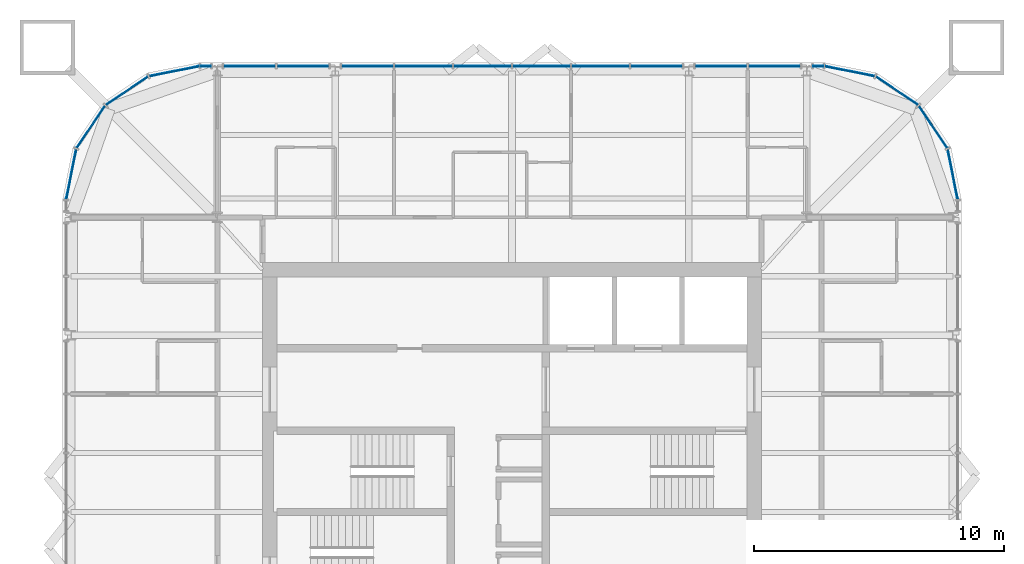
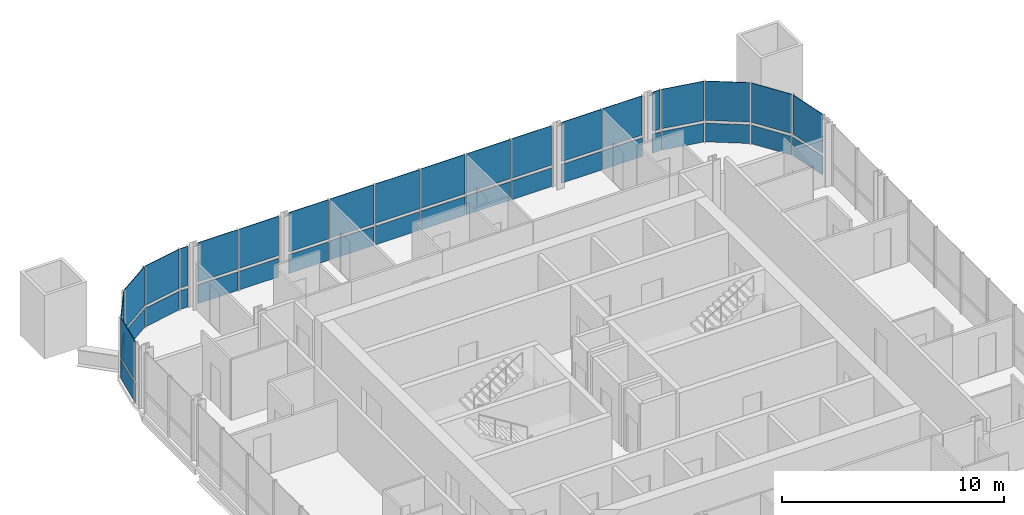
# One storey, part 12 of 17: 40 plates, 7 elements without a shape of their own.
"""IFC4 building model written with IfcOpenShell, lengths in metres."""

import ifcopenshell
import ifcopenshell.guid

model = None  # the IFC model being written
_history = None  # IfcOwnerHistory: only IFC2X3 demands one
_inside = {}  # id of a spatial element -> (the spatial element, [elements in it])
_under = {}  # id of a project, library or spatial element -> (it, [spatial elements below it])
_declared = {}  # id of a project -> (the project, [libraries it declares])
_typed = {}  # id of a type object -> (the type object, [elements of that type])
_made_of = {}  # id of a material, layer set ... -> (it, [elements and type objects made of it])


def new_model(schema):
    """Start an empty IFC model of exactly this schema.

    Asked for "IFC4X3", IfcOpenShell would pick the latest addendum, in which some entities
    have other attributes; the version numbers below select the first issue.
    IFC2X3 requires an IfcOwnerHistory on every rooted entity: one is made here for all.
    """
    global model, _history
    if schema == "IFC4X3":
        model = ifcopenshell.file(schema_version=(4, 3, 0, 0))
    else:
        model = ifcopenshell.file(schema=schema)
    _inside.clear()
    _under.clear()
    _declared.clear()
    _typed.clear()
    _made_of.clear()
    _history = None
    if model.schema == "IFC2X3":
        org = make("IfcOrganization", Name="unknown")
        user = make(
            "IfcPersonAndOrganization",
            ThePerson=make("IfcPerson", FamilyName="unknown"),
            TheOrganization=org,
        )
        app = make(
            "IfcApplication",
            ApplicationDeveloper=org,
            Version="unknown",
            ApplicationFullName="unknown",
            ApplicationIdentifier="unknown",
        )
        _history = make(
            "IfcOwnerHistory",
            OwningUser=user,
            OwningApplication=app,
            ChangeAction="ADDED",
            CreationDate=0,
        )
    return model


def make(cls, **values):
    """One entity of the class cls with the attributes given. An attribute that is None is left unset."""
    return model.create_entity(
        cls, **{name: value for name, value in values.items() if value is not None}
    )


def rooted(cls, **values):
    """An entity with a GlobalId (a new one), such as an element, a storey or a relation."""
    return make(cls, GlobalId=ifcopenshell.guid.new(), OwnerHistory=_history, **values)


def si_unit(unit_type, name, prefix=None):
    """IfcSIUnit, for example si_unit("LENGTHUNIT", "METRE", prefix="MILLI")."""
    return make("IfcSIUnit", UnitType=unit_type, Prefix=prefix, Name=name)


def assignment(units):
    """IfcUnitAssignment: the units of a project."""
    return None if units is None else make("IfcUnitAssignment", Units=units)


def point(xyz):
    """IfcCartesianPoint."""
    return None if xyz is None else make("IfcCartesianPoint", Coordinates=xyz)


def direction(xyz):
    """IfcDirection."""
    return None if xyz is None else make("IfcDirection", DirectionRatios=xyz)


def frame(location, z_axis=None, x_axis=None):
    """IfcAxis2Placement3D, a coordinate frame: its origin and axes. An axis left out is left unset."""
    return make(
        "IfcAxis2Placement3D",
        Location=point(location),
        Axis=direction(z_axis),
        RefDirection=direction(x_axis),
    )


def frame_2d(location, x_axis=None):
    """IfcAxis2Placement2D, a coordinate frame in the plane: its origin and x axis."""
    return make(
        "IfcAxis2Placement2D", Location=point(location), RefDirection=direction(x_axis)
    )


def origin():
    """The frame at (0, 0, 0) with its axes left unset."""
    return frame((0.0, 0.0, 0.0))


def origin_2d():
    """The frame at (0, 0) in the plane with its x axis left unset."""
    return frame_2d((0.0, 0.0))


def place(relative_to, where):
    """IfcLocalPlacement: puts the frame where relative to a parent placement (None: the world)."""
    return make(
        "IfcLocalPlacement", PlacementRelTo=relative_to, RelativePlacement=where
    )


def context(
    kind, dimensions, precision=None, world=None, true_north=None, identifier=None
):
    """IfcGeometricRepresentationContext, for example the 3D "Model" context."""
    return make(
        "IfcGeometricRepresentationContext",
        ContextIdentifier=identifier,
        ContextType=kind,
        CoordinateSpaceDimension=dimensions,
        Precision=precision,
        WorldCoordinateSystem=world,
        TrueNorth=true_north,
    )


def subcontext(parent, identifier, kind, view, scale=None):
    """IfcGeometricRepresentationSubContext, for example "Body" below "Model"."""
    return make(
        "IfcGeometricRepresentationSubContext",
        ContextIdentifier=identifier,
        ContextType=kind,
        ParentContext=parent,
        TargetScale=scale,
        TargetView=view,
    )


def project(units=None, contexts=None):
    """IfcProject with its units and contexts."""
    return rooted(
        "IfcProject",
        Name="project",
        RepresentationContexts=contexts,
        UnitsInContext=assignment(units),
    )


def spatial(cls, under=None, at=None, **own):
    """A site, building, storey or space (cls), placed at a placement, below another one or the project."""
    s = rooted(cls, ObjectPlacement=at, **own)
    if under is not None:
        _under.setdefault(under.id(), (under, []))[1].append(s)
    return s


def profile(cls, at=None, kind="AREA", **sizes):
    """A parametric profile (cls). Its sizes go by their IFC names, for example OverallWidth=200.0."""
    return make(cls, ProfileType=kind, Position=at, **sizes)


def rectangle(**sizes):
    """IfcRectangleProfileDef."""
    return profile("IfcRectangleProfileDef", **sizes)


def extrude(swept, where, along, depth):
    """IfcExtrudedAreaSolid: the profile swept, set in the frame where, extruded along a direction by depth."""
    return make(
        "IfcExtrudedAreaSolid",
        SweptArea=swept,
        Position=where,
        ExtrudedDirection=direction(along),
        Depth=depth,
    )


def shape(context_of_items, identifier, shape_type, items):
    """IfcShapeRepresentation: the items that make up one representation, for example the "Body"."""
    return make(
        "IfcShapeRepresentation",
        ContextOfItems=context_of_items,
        RepresentationIdentifier=identifier,
        RepresentationType=shape_type,
        Items=items,
    )


def material(Name=None, Category=None):
    """IfcMaterial."""
    return make("IfcMaterial", Name=Name, Category=Category)


def layer(
    of_material, thickness, ventilated=None, Name=None, Category=None, Priority=None
):
    """IfcMaterialLayer: one layer of a wall or slab, of a material (None: an air gap)."""
    return make(
        "IfcMaterialLayer",
        Material=of_material,
        LayerThickness=thickness,
        IsVentilated=ventilated,
        Name=Name,
        Category=Category,
        Priority=Priority,
    )


def layer_set(layers, Name=None):
    """IfcMaterialLayerSet."""
    return make("IfcMaterialLayerSet", MaterialLayers=layers, LayerSetName=Name)


def made_of(thing, what):
    """Note that an element or type object is made of a material, layer set ...; save() writes the relation."""
    if what is not None:
        _made_of.setdefault(what.id(), (what, []))[1].append(thing)
    return thing


def type_object(cls, material=None, **own):
    """A type object (cls), such as IfcWallType, which elements share."""
    return made_of(rooted(cls, **own), material)


def element(
    cls,
    number,
    at=None,
    inside=None,
    cuts=None,
    type_object=None,
    material=None,
    context=None,
    identifier="Body",
    shape_type=None,
    held_by="IfcProductDefinitionShape",
    body=None,
    shapes=None,
    **own,
):
    """One element of the class cls, such as IfcWall. Its Tag is "e" and its number.

    at: its placement. inside: the storey or other place that contains it. cuts: it is an
    opening in that element (IfcRelVoidsElement). A single representation is given by context,
    identifier, shape_type and body (its items); several are given by shapes. held_by: the class
    of the entity that holds the representations. save() writes the other relations.
    """
    e = rooted(cls, Tag="e%d" % number, ObjectPlacement=at, **own)
    if body is not None:
        shapes = [shape(context, identifier, shape_type, body)]
    if shapes is not None:
        e.Representation = make(held_by, Representations=shapes)
    if inside is not None:
        _inside.setdefault(inside.id(), (inside, []))[1].append(e)
    if cuts is not None:
        rooted(
            "IfcRelVoidsElement", RelatingBuildingElement=cuts, RelatedOpeningElement=e
        )
    if type_object is not None:
        _typed.setdefault(type_object.id(), (type_object, []))[1].append(e)
    return made_of(e, material)


def aggregate(whole, parts):
    """IfcRelAggregates: a whole, such as a stair, and the parts it consists of."""
    return rooted("IfcRelAggregates", RelatingObject=whole, RelatedObjects=parts)


def save(model, path):
    """Write the relations noted so far, then the file.

    IfcRelAggregates (storeys below a building ...), IfcRelContainedInSpatialStructure (elements
    in a storey), IfcRelDefinesByType, IfcRelAssociatesMaterial and IfcRelDeclares: one each for
    every whole, place, type object, material and project.
    """
    for whole, parts in _under.values():
        aggregate(whole, parts)
    for where, things in _inside.values():
        rooted(
            "IfcRelContainedInSpatialStructure",
            RelatedElements=things,
            RelatingStructure=where,
        )
    for kind, things in _typed.values():
        rooted("IfcRelDefinesByType", RelatedObjects=things, RelatingType=kind)
    for what, things in _made_of.values():
        rooted("IfcRelAssociatesMaterial", RelatedObjects=things, RelatingMaterial=what)
    for by, libraries in _declared.values():
        rooted("IfcRelDeclares", RelatingContext=by, RelatedDefinitions=libraries)
    model.write(path)


model = new_model("IFC4")

# Units and contexts
model_context = context("Model", 3, precision=1e-05, world=origin(), true_north=direction((0.0, 1.0)))
body_context = subcontext(model_context, "Body", "Model", "MODEL_VIEW")
ifc_project = project(units=[si_unit("LENGTHUNIT", "METRE"), si_unit("AREAUNIT", "SQUARE_METRE"), si_unit("VOLUMEUNIT", "CUBIC_METRE"), si_unit("PLANEANGLEUNIT", "RADIAN"), si_unit("MASSUNIT", "GRAM", prefix="KILO")], contexts=[model_context])

# Site, building, storey
site_placement = place(None, origin())
site = spatial("IfcSite", under=ifc_project, at=site_placement, CompositionType="ELEMENT")
building_placement = place(site_placement, origin())
building = spatial("IfcBuilding", under=site, at=building_placement, Name="Turquesa Mirador Hotel Tower", CompositionType="ELEMENT")
storey_placement = place(building_placement, frame((0.0, 0.0, 247.699951171875)))
storey = spatial("IfcBuildingStorey", under=building, at=storey_placement, Name="L67", CompositionType="ELEMENT", Elevation=247.699951171875)

# Curtain wall, plates
ifc_material_1 = material(Name="Aluminium extrusion", Category="aluminium")
curtain_wall_type = type_object("IfcCurtainWallType", Name="CW-4 SUITE FRITTED CURTAIN WALL", PredefinedType="USERDEFINED", material=ifc_material_1)
curtain_wall_1_placement = place(storey_placement, origin())
curtain_wall_1 = element("IfcCurtainWall", 1, at=curtain_wall_1_placement, inside=storey, type_object=curtain_wall_type, Name="CW-4 SUITE FRITTED CURTAIN WALL L67", ObjectType="CURTAIN WALL", PredefinedType="USERDEFINED")
ifc_material_2 = material(Name="Ceramic-printed spandrel glass on an insulated back pan", Category="glass")
ifc_layer_1 = layer(ifc_material_2, 0.050048828125)
ifc_layer_set_1 = layer_set([ifc_layer_1], Name="CW PANEL SPANDREL CERAMIC")
plate_type_1 = type_object("IfcPlateType", Name="CW PANEL SPANDREL CERAMIC", PredefinedType="CURTAIN_PANEL", material=ifc_layer_set_1)
plate_1_placement = place(storey_placement, frame((72.646484375, 58.523681640625, 0.0), z_axis=(0.0, 0.0, 1.0), x_axis=(-0.195090585221, 0.980785228048, 0.0)))
plate_1 = element("IfcPlate", 2, at=plate_1_placement, type_object=plate_type_1, Name="Panel", PredefinedType="CURTAIN_PANEL", context=body_context, shape_type="SweptSolid", body=[
    extrude(rectangle(XDim=2.0224609375, YDim=0.050048828125, at=origin_2d()), origin(), (0.0, 0.0, 1.0), 1.02490234375),
])
plate_2_placement = place(storey_placement, frame((71.86279296875, 60.415283203125, 0.0), z_axis=(0.0, 0.0, 1.0), x_axis=(-0.555570141754, 0.831469673284, 0.0)))
plate_2 = element("IfcPlate", 3, at=plate_2_placement, type_object=plate_type_1, Name="Panel", PredefinedType="CURTAIN_PANEL", context=body_context, shape_type="SweptSolid", body=[
    extrude(rectangle(XDim=2.0224609375, YDim=0.050048828125, at=origin_2d()), origin(), (0.0, 0.0, 1.0), 1.02490234375),
])
plate_3_placement = place(storey_placement, frame((70.415283203125, 61.86279296875, 0.0), z_axis=(0.0, 0.0, 1.0), x_axis=(-0.831469673284, 0.555570141754, 0.0)))
plate_3 = element("IfcPlate", 4, at=plate_3_placement, type_object=plate_type_1, Name="Panel", PredefinedType="CURTAIN_PANEL", context=body_context, shape_type="SweptSolid", body=[
    extrude(rectangle(XDim=2.0224609375, YDim=0.050048828125, at=origin_2d()), origin(), (0.0, 0.0, 1.0), 1.02490234375),
])
plate_4_placement = place(storey_placement, frame((68.523681640625, 62.646484375, 0.0), z_axis=(0.0, 0.0, 1.0), x_axis=(-0.980785228048, 0.195090585221, 0.0)))
plate_4 = element("IfcPlate", 5, at=plate_4_placement, type_object=plate_type_1, Name="Panel", PredefinedType="CURTAIN_PANEL", context=body_context, shape_type="SweptSolid", body=[
    extrude(rectangle(XDim=2.0224609375, YDim=0.050048828125, at=origin_2d()), origin(), (0.0, 0.0, 1.0), 1.02490234375),
])

# Curtain wall, plate
curtain_wall_2_placement = place(storey_placement, origin())
curtain_wall_2 = element("IfcCurtainWall", 6, at=curtain_wall_2_placement, inside=storey, type_object=curtain_wall_type, Name="CW-4 SUITE FRITTED CURTAIN WALL L67", ObjectType="CURTAIN WALL", PredefinedType="USERDEFINED")
plate_5_placement = place(storey_placement, frame((67.266845703125, 62.85009765625, 0.0), z_axis=(0.0, 0.0, 1.0), x_axis=(-1.0, 0.0, 0.0)))
plate_5 = element("IfcPlate", 7, at=plate_5_placement, type_object=plate_type_1, Name="Panel", PredefinedType="CURTAIN_PANEL", context=body_context, shape_type="SweptSolid", body=[
    extrude(rectangle(XDim=0.401123046875, YDim=0.050048828125, at=origin_2d()), origin(), (0.0, 0.0, 1.0), 1.02490234375),
])

# Curtain wall, plates
curtain_wall_3_placement = place(storey_placement, origin())
curtain_wall_3 = element("IfcCurtainWall", 8, at=curtain_wall_3_placement, inside=storey, type_object=curtain_wall_type, Name="CW-4 SUITE FRITTED CURTAIN WALL L67", ObjectType="CURTAIN WALL", PredefinedType="USERDEFINED")
plate_6_placement = place(storey_placement, frame((65.503173828125, 62.85009765625, 0.0), z_axis=(0.0, 0.0, 1.0), x_axis=(-1.0, 0.0, 0.0)))
plate_6 = element("IfcPlate", 9, at=plate_6_placement, type_object=plate_type_1, Name="Panel", PredefinedType="CURTAIN_PANEL", context=body_context, shape_type="SweptSolid", body=[
    extrude(rectangle(XDim=2.06103515625, YDim=0.050048828125, at=origin_2d()), origin(), (0.0, 0.0, 1.0), 1.02490234375),
])
plate_7_placement = place(storey_placement, frame((63.376953125, 62.85009765625, 0.0), z_axis=(0.0, 0.0, 1.0), x_axis=(-1.0, 0.0, 0.0)))
plate_7 = element("IfcPlate", 10, at=plate_7_placement, type_object=plate_type_1, Name="Panel", PredefinedType="CURTAIN_PANEL", context=body_context, shape_type="SweptSolid", body=[
    extrude(rectangle(XDim=2.06103515625, YDim=0.050048828125, at=origin_2d()), origin(), (0.0, 0.0, 1.0), 1.02490234375),
])

curtain_wall_4_placement = place(storey_placement, origin())
curtain_wall_4 = element("IfcCurtainWall", 11, at=curtain_wall_4_placement, inside=storey, type_object=curtain_wall_type, Name="CW-4 SUITE FRITTED CURTAIN WALL L67", ObjectType="CURTAIN WALL", PredefinedType="USERDEFINED")
plate_8_placement = place(storey_placement, frame((60.782958984375, 62.85009765625, 0.0), z_axis=(0.0, 0.0, 1.0), x_axis=(-1.0, 0.0, 0.0)))
plate_8 = element("IfcPlate", 12, at=plate_8_placement, type_object=plate_type_1, Name="Panel", PredefinedType="CURTAIN_PANEL", context=body_context, shape_type="SweptSolid", body=[
    extrude(rectangle(XDim=2.06103515625, YDim=0.050048828125, at=origin_2d()), origin(), (0.0, 0.0, 1.0), 1.02490234375),
])
plate_9_placement = place(storey_placement, frame((58.5400390625, 62.85009765625, 0.0), z_axis=(0.0, 0.0, 1.0), x_axis=(-1.0, 0.0, 0.0)))
plate_9 = element("IfcPlate", 13, at=plate_9_placement, type_object=plate_type_1, Name="Panel", PredefinedType="CURTAIN_PANEL", context=body_context, shape_type="SweptSolid", body=[
    extrude(rectangle(XDim=2.294921875, YDim=0.050048828125, at=origin_2d()), origin(), (0.0, 0.0, 1.0), 1.02490234375),
])
plate_10_placement = place(storey_placement, frame((56.179931640625, 62.85009765625, 0.0), z_axis=(0.0, 0.0, 1.0), x_axis=(-1.0, 0.0, 0.0)))
plate_10 = element("IfcPlate", 14, at=plate_10_placement, type_object=plate_type_1, Name="Panel", PredefinedType="CURTAIN_PANEL", context=body_context, shape_type="SweptSolid", body=[
    extrude(rectangle(XDim=2.294921875, YDim=0.050048828125, at=origin_2d()), origin(), (0.0, 0.0, 1.0), 1.02490234375),
])
plate_11_placement = place(storey_placement, frame((53.820068359375, 62.85009765625, 0.0), z_axis=(0.0, 0.0, 1.0), x_axis=(-1.0, 0.0, 0.0)))
plate_11 = element("IfcPlate", 15, at=plate_11_placement, type_object=plate_type_1, Name="Panel", PredefinedType="CURTAIN_PANEL", context=body_context, shape_type="SweptSolid", body=[
    extrude(rectangle(XDim=2.294921875, YDim=0.050048828125, at=origin_2d()), origin(), (0.0, 0.0, 1.0), 1.02490234375),
])
plate_12_placement = place(storey_placement, frame((51.4599609375, 62.85009765625, 0.0), z_axis=(0.0, 0.0, 1.0), x_axis=(-1.0, 0.0, 0.0)))
plate_12 = element("IfcPlate", 16, at=plate_12_placement, type_object=plate_type_1, Name="Panel", PredefinedType="CURTAIN_PANEL", context=body_context, shape_type="SweptSolid", body=[
    extrude(rectangle(XDim=2.294921875, YDim=0.050048828125, at=origin_2d()), origin(), (0.0, 0.0, 1.0), 1.02490234375),
])
plate_13_placement = place(storey_placement, frame((49.217041015625, 62.85009765625, 0.0), z_axis=(0.0, 0.0, 1.0), x_axis=(-1.0, 0.0, 0.0)))
plate_13 = element("IfcPlate", 17, at=plate_13_placement, type_object=plate_type_1, Name="Panel", PredefinedType="CURTAIN_PANEL", context=body_context, shape_type="SweptSolid", body=[
    extrude(rectangle(XDim=2.06103515625, YDim=0.050048828125, at=origin_2d()), origin(), (0.0, 0.0, 1.0), 1.02490234375),
])

curtain_wall_5_placement = place(storey_placement, origin())
curtain_wall_5 = element("IfcCurtainWall", 18, at=curtain_wall_5_placement, inside=storey, type_object=curtain_wall_type, Name="CW-4 SUITE FRITTED CURTAIN WALL L67", ObjectType="CURTAIN WALL", PredefinedType="USERDEFINED")
plate_14_placement = place(storey_placement, frame((46.623046875, 62.85009765625, 0.0), z_axis=(0.0, 0.0, 1.0), x_axis=(-1.0, 0.0, 0.0)))
plate_14 = element("IfcPlate", 19, at=plate_14_placement, type_object=plate_type_1, Name="Panel", PredefinedType="CURTAIN_PANEL", context=body_context, shape_type="SweptSolid", body=[
    extrude(rectangle(XDim=2.06103515625, YDim=0.050048828125, at=origin_2d()), origin(), (0.0, 0.0, 1.0), 1.02490234375),
])
plate_15_placement = place(storey_placement, frame((44.496826171875, 62.85009765625, 0.0), z_axis=(0.0, 0.0, 1.0), x_axis=(-1.0, 0.0, 0.0)))
plate_15 = element("IfcPlate", 20, at=plate_15_placement, type_object=plate_type_1, Name="Panel", PredefinedType="CURTAIN_PANEL", context=body_context, shape_type="SweptSolid", body=[
    extrude(rectangle(XDim=2.06103515625, YDim=0.050048828125, at=origin_2d()), origin(), (0.0, 0.0, 1.0), 1.02490234375),
])

# Curtain wall, plate
curtain_wall_6_placement = place(storey_placement, origin())
curtain_wall_6 = element("IfcCurtainWall", 21, at=curtain_wall_6_placement, inside=storey, type_object=curtain_wall_type, Name="CW-4 SUITE FRITTED CURTAIN WALL L67", ObjectType="CURTAIN WALL", PredefinedType="USERDEFINED")
plate_16_placement = place(storey_placement, frame((42.733154296875, 62.85009765625, 0.0), z_axis=(0.0, 0.0, 1.0), x_axis=(-1.0, 0.0, 0.0)))
plate_16 = element("IfcPlate", 22, at=plate_16_placement, type_object=plate_type_1, Name="Panel", PredefinedType="CURTAIN_PANEL", context=body_context, shape_type="SweptSolid", body=[
    extrude(rectangle(XDim=0.401123046875, YDim=0.050048828125, at=origin_2d()), origin(), (0.0, 0.0, 1.0), 1.02490234375),
])

# Curtain wall, plates
curtain_wall_7_placement = place(storey_placement, origin())
curtain_wall_7 = element("IfcCurtainWall", 23, at=curtain_wall_7_placement, inside=storey, type_object=curtain_wall_type, Name="CW-4 SUITE FRITTED CURTAIN WALL L67", ObjectType="CURTAIN WALL", PredefinedType="USERDEFINED")
plate_17_placement = place(storey_placement, frame((41.476318359375, 62.646484375, 0.0), z_axis=(0.0, 0.0, 1.0), x_axis=(-0.980785228048, -0.195090585221, 0.0)))
plate_17 = element("IfcPlate", 24, at=plate_17_placement, type_object=plate_type_1, Name="Panel", PredefinedType="CURTAIN_PANEL", context=body_context, shape_type="SweptSolid", body=[
    extrude(rectangle(XDim=2.0224609375, YDim=0.050048828125, at=origin_2d()), origin(), (0.0, 0.0, 1.0), 1.02490234375),
])
plate_18_placement = place(storey_placement, frame((39.584716796875, 61.86279296875, 0.0), z_axis=(0.0, 0.0, 1.0), x_axis=(-0.831469673284, -0.555570141754, 0.0)))
plate_18 = element("IfcPlate", 25, at=plate_18_placement, type_object=plate_type_1, Name="Panel", PredefinedType="CURTAIN_PANEL", context=body_context, shape_type="SweptSolid", body=[
    extrude(rectangle(XDim=2.0224609375, YDim=0.050048828125, at=origin_2d()), origin(), (0.0, 0.0, 1.0), 1.02490234375),
])
plate_19_placement = place(storey_placement, frame((38.13720703125, 60.415283203125, 0.0), z_axis=(0.0, 0.0, 1.0), x_axis=(-0.555570141754, -0.831469673284, 0.0)))
plate_19 = element("IfcPlate", 26, at=plate_19_placement, type_object=plate_type_1, Name="Panel", PredefinedType="CURTAIN_PANEL", context=body_context, shape_type="SweptSolid", body=[
    extrude(rectangle(XDim=2.0224609375, YDim=0.050048828125, at=origin_2d()), origin(), (0.0, 0.0, 1.0), 1.02490234375),
])
plate_20_placement = place(storey_placement, frame((37.353515625, 58.523681640625, 0.0), z_axis=(0.0, 0.0, 1.0), x_axis=(-0.195090585221, -0.980785228048, 0.0)))
plate_20 = element("IfcPlate", 27, at=plate_20_placement, type_object=plate_type_1, Name="Panel", PredefinedType="CURTAIN_PANEL", context=body_context, shape_type="SweptSolid", body=[
    extrude(rectangle(XDim=2.0224609375, YDim=0.050048828125, at=origin_2d()), origin(), (0.0, 0.0, 1.0), 1.02490234375),
])

# Plate
ifc_material_3 = material(Name="Ceramic-fritted laminated glass", Category="glass")
ifc_layer_2 = layer(ifc_material_3, 0.031982421875)
ifc_layer_set_2 = layer_set([ifc_layer_2], Name="CW PANEL VISION FRITTED")
plate_type_2 = type_object("IfcPlateType", Name="CW PANEL VISION FRITTED", PredefinedType="CURTAIN_PANEL", material=ifc_layer_set_2)
plate_21_placement = place(storey_placement, frame((72.646484375, 58.523681640625, 1.1748046875), z_axis=(0.0, 0.0, 1.0), x_axis=(-0.195090585221, 0.980785228048, 0.0)))
plate_21 = element("IfcPlate", 28, at=plate_21_placement, type_object=plate_type_2, Name="Panel", PredefinedType="CURTAIN_PANEL", context=body_context, shape_type="SweptSolid", body=[
    extrude(rectangle(XDim=2.0224609375, YDim=0.031982421875, at=origin_2d()), origin(), (0.0, 0.0, 1.0), 2.155029296875),
])

plate_22_placement = place(storey_placement, frame((71.86279296875, 60.415283203125, 1.1748046875), z_axis=(0.0, 0.0, 1.0), x_axis=(-0.555570141754, 0.831469673284, 0.0)))
plate_22 = element("IfcPlate", 29, at=plate_22_placement, type_object=plate_type_2, Name="Panel", PredefinedType="CURTAIN_PANEL", context=body_context, shape_type="SweptSolid", body=[
    extrude(rectangle(XDim=2.0224609375, YDim=0.031982421875, at=origin_2d()), origin(), (0.0, 0.0, 1.0), 2.155029296875),
])

plate_23_placement = place(storey_placement, frame((70.415283203125, 61.86279296875, 1.1748046875), z_axis=(0.0, 0.0, 1.0), x_axis=(-0.831469673284, 0.555570141754, 0.0)))
plate_23 = element("IfcPlate", 30, at=plate_23_placement, type_object=plate_type_2, Name="Panel", PredefinedType="CURTAIN_PANEL", context=body_context, shape_type="SweptSolid", body=[
    extrude(rectangle(XDim=2.0224609375, YDim=0.031982421875, at=origin_2d()), origin(), (0.0, 0.0, 1.0), 2.155029296875),
])

plate_24_placement = place(storey_placement, frame((68.523681640625, 62.646484375, 1.1748046875), z_axis=(0.0, 0.0, 1.0), x_axis=(-0.980785228048, 0.195090585221, 0.0)))
plate_24 = element("IfcPlate", 31, at=plate_24_placement, type_object=plate_type_2, Name="Panel", PredefinedType="CURTAIN_PANEL", context=body_context, shape_type="SweptSolid", body=[
    extrude(rectangle(XDim=2.0224609375, YDim=0.031982421875, at=origin_2d()), origin(), (0.0, 0.0, 1.0), 2.155029296875),
])

aggregate(curtain_wall_1, [plate_1, plate_21, plate_2, plate_22, plate_3, plate_23, plate_4, plate_24])

plate_25_placement = place(storey_placement, frame((67.266845703125, 62.85009765625, 1.1748046875), z_axis=(0.0, 0.0, 1.0), x_axis=(-1.0, 0.0, 0.0)))
plate_25 = element("IfcPlate", 32, at=plate_25_placement, type_object=plate_type_2, Name="Panel", PredefinedType="CURTAIN_PANEL", context=body_context, shape_type="SweptSolid", body=[
    extrude(rectangle(XDim=0.401123046875, YDim=0.031982421875, at=origin_2d()), origin(), (0.0, 0.0, 1.0), 2.155029296875),
])

aggregate(curtain_wall_2, [plate_5, plate_25])

plate_26_placement = place(storey_placement, frame((65.503173828125, 62.85009765625, 1.1748046875), z_axis=(0.0, 0.0, 1.0), x_axis=(-1.0, 0.0, 0.0)))
plate_26 = element("IfcPlate", 33, at=plate_26_placement, type_object=plate_type_2, Name="Panel", PredefinedType="CURTAIN_PANEL", context=body_context, shape_type="SweptSolid", body=[
    extrude(rectangle(XDim=2.06103515625, YDim=0.031982421875, at=origin_2d()), origin(), (0.0, 0.0, 1.0), 2.155029296875),
])

plate_27_placement = place(storey_placement, frame((63.376953125, 62.85009765625, 1.1748046875), z_axis=(0.0, 0.0, 1.0), x_axis=(-1.0, 0.0, 0.0)))
plate_27 = element("IfcPlate", 34, at=plate_27_placement, type_object=plate_type_2, Name="Panel", PredefinedType="CURTAIN_PANEL", context=body_context, shape_type="SweptSolid", body=[
    extrude(rectangle(XDim=2.06103515625, YDim=0.031982421875, at=origin_2d()), origin(), (0.0, 0.0, 1.0), 2.155029296875),
])

aggregate(curtain_wall_3, [plate_6, plate_26, plate_7, plate_27])

plate_28_placement = place(storey_placement, frame((60.782958984375, 62.85009765625, 1.1748046875), z_axis=(0.0, 0.0, 1.0), x_axis=(-1.0, 0.0, 0.0)))
plate_28 = element("IfcPlate", 35, at=plate_28_placement, type_object=plate_type_2, Name="Panel", PredefinedType="CURTAIN_PANEL", context=body_context, shape_type="SweptSolid", body=[
    extrude(rectangle(XDim=2.06103515625, YDim=0.031982421875, at=origin_2d()), origin(), (0.0, 0.0, 1.0), 2.155029296875),
])

plate_29_placement = place(storey_placement, frame((58.5400390625, 62.85009765625, 1.1748046875), z_axis=(0.0, 0.0, 1.0), x_axis=(-1.0, 0.0, 0.0)))
plate_29 = element("IfcPlate", 36, at=plate_29_placement, type_object=plate_type_2, Name="Panel", PredefinedType="CURTAIN_PANEL", context=body_context, shape_type="SweptSolid", body=[
    extrude(rectangle(XDim=2.294921875, YDim=0.031982421875, at=origin_2d()), origin(), (0.0, 0.0, 1.0), 2.155029296875),
])

plate_30_placement = place(storey_placement, frame((56.179931640625, 62.85009765625, 1.1748046875), z_axis=(0.0, 0.0, 1.0), x_axis=(-1.0, 0.0, 0.0)))
plate_30 = element("IfcPlate", 37, at=plate_30_placement, type_object=plate_type_2, Name="Panel", PredefinedType="CURTAIN_PANEL", context=body_context, shape_type="SweptSolid", body=[
    extrude(rectangle(XDim=2.294921875, YDim=0.031982421875, at=origin_2d()), origin(), (0.0, 0.0, 1.0), 2.155029296875),
])

plate_31_placement = place(storey_placement, frame((53.820068359375, 62.85009765625, 1.1748046875), z_axis=(0.0, 0.0, 1.0), x_axis=(-1.0, 0.0, 0.0)))
plate_31 = element("IfcPlate", 38, at=plate_31_placement, type_object=plate_type_2, Name="Panel", PredefinedType="CURTAIN_PANEL", context=body_context, shape_type="SweptSolid", body=[
    extrude(rectangle(XDim=2.294921875, YDim=0.031982421875, at=origin_2d()), origin(), (0.0, 0.0, 1.0), 2.155029296875),
])

plate_32_placement = place(storey_placement, frame((51.4599609375, 62.85009765625, 1.1748046875), z_axis=(0.0, 0.0, 1.0), x_axis=(-1.0, 0.0, 0.0)))
plate_32 = element("IfcPlate", 39, at=plate_32_placement, type_object=plate_type_2, Name="Panel", PredefinedType="CURTAIN_PANEL", context=body_context, shape_type="SweptSolid", body=[
    extrude(rectangle(XDim=2.294921875, YDim=0.031982421875, at=origin_2d()), origin(), (0.0, 0.0, 1.0), 2.155029296875),
])

plate_33_placement = place(storey_placement, frame((49.217041015625, 62.85009765625, 1.1748046875), z_axis=(0.0, 0.0, 1.0), x_axis=(-1.0, 0.0, 0.0)))
plate_33 = element("IfcPlate", 40, at=plate_33_placement, type_object=plate_type_2, Name="Panel", PredefinedType="CURTAIN_PANEL", context=body_context, shape_type="SweptSolid", body=[
    extrude(rectangle(XDim=2.06103515625, YDim=0.031982421875, at=origin_2d()), origin(), (0.0, 0.0, 1.0), 2.155029296875),
])

aggregate(curtain_wall_4, [plate_8, plate_28, plate_9, plate_29, plate_10, plate_30, plate_11, plate_31, plate_12, plate_32, plate_13, plate_33])

plate_34_placement = place(storey_placement, frame((46.623046875, 62.85009765625, 1.1748046875), z_axis=(0.0, 0.0, 1.0), x_axis=(-1.0, 0.0, 0.0)))
plate_34 = element("IfcPlate", 41, at=plate_34_placement, type_object=plate_type_2, Name="Panel", PredefinedType="CURTAIN_PANEL", context=body_context, shape_type="SweptSolid", body=[
    extrude(rectangle(XDim=2.06103515625, YDim=0.031982421875, at=origin_2d()), origin(), (0.0, 0.0, 1.0), 2.155029296875),
])

plate_35_placement = place(storey_placement, frame((44.496826171875, 62.85009765625, 1.1748046875), z_axis=(0.0, 0.0, 1.0), x_axis=(-1.0, 0.0, 0.0)))
plate_35 = element("IfcPlate", 42, at=plate_35_placement, type_object=plate_type_2, Name="Panel", PredefinedType="CURTAIN_PANEL", context=body_context, shape_type="SweptSolid", body=[
    extrude(rectangle(XDim=2.06103515625, YDim=0.031982421875, at=origin_2d()), origin(), (0.0, 0.0, 1.0), 2.155029296875),
])

aggregate(curtain_wall_5, [plate_14, plate_34, plate_15, plate_35])

plate_36_placement = place(storey_placement, frame((42.733154296875, 62.85009765625, 1.1748046875), z_axis=(0.0, 0.0, 1.0), x_axis=(-1.0, 0.0, 0.0)))
plate_36 = element("IfcPlate", 43, at=plate_36_placement, type_object=plate_type_2, Name="Panel", PredefinedType="CURTAIN_PANEL", context=body_context, shape_type="SweptSolid", body=[
    extrude(rectangle(XDim=0.401123046875, YDim=0.031982421875, at=origin_2d()), origin(), (0.0, 0.0, 1.0), 2.155029296875),
])

aggregate(curtain_wall_6, [plate_16, plate_36])

plate_37_placement = place(storey_placement, frame((41.476318359375, 62.646484375, 1.1748046875), z_axis=(0.0, 0.0, 1.0), x_axis=(-0.980785228048, -0.195090585221, 0.0)))
plate_37 = element("IfcPlate", 44, at=plate_37_placement, type_object=plate_type_2, Name="Panel", PredefinedType="CURTAIN_PANEL", context=body_context, shape_type="SweptSolid", body=[
    extrude(rectangle(XDim=2.0224609375, YDim=0.031982421875, at=origin_2d()), origin(), (0.0, 0.0, 1.0), 2.155029296875),
])

plate_38_placement = place(storey_placement, frame((39.584716796875, 61.86279296875, 1.1748046875), z_axis=(0.0, 0.0, 1.0), x_axis=(-0.831469673284, -0.555570141754, 0.0)))
plate_38 = element("IfcPlate", 45, at=plate_38_placement, type_object=plate_type_2, Name="Panel", PredefinedType="CURTAIN_PANEL", context=body_context, shape_type="SweptSolid", body=[
    extrude(rectangle(XDim=2.0224609375, YDim=0.031982421875, at=origin_2d()), origin(), (0.0, 0.0, 1.0), 2.155029296875),
])

plate_39_placement = place(storey_placement, frame((38.13720703125, 60.415283203125, 1.1748046875), z_axis=(0.0, 0.0, 1.0), x_axis=(-0.555570141754, -0.831469673284, 0.0)))
plate_39 = element("IfcPlate", 46, at=plate_39_placement, type_object=plate_type_2, Name="Panel", PredefinedType="CURTAIN_PANEL", context=body_context, shape_type="SweptSolid", body=[
    extrude(rectangle(XDim=2.0224609375, YDim=0.031982421875, at=origin_2d()), origin(), (0.0, 0.0, 1.0), 2.155029296875),
])

plate_40_placement = place(storey_placement, frame((37.353515625, 58.523681640625, 1.1748046875), z_axis=(0.0, 0.0, 1.0), x_axis=(-0.195090585221, -0.980785228048, 0.0)))
plate_40 = element("IfcPlate", 47, at=plate_40_placement, type_object=plate_type_2, Name="Panel", PredefinedType="CURTAIN_PANEL", context=body_context, shape_type="SweptSolid", body=[
    extrude(rectangle(XDim=2.0224609375, YDim=0.031982421875, at=origin_2d()), origin(), (0.0, 0.0, 1.0), 2.155029296875),
])

aggregate(curtain_wall_7, [plate_17, plate_37, plate_18, plate_38, plate_19, plate_39, plate_20, plate_40])

save(model, "model.ifc")
